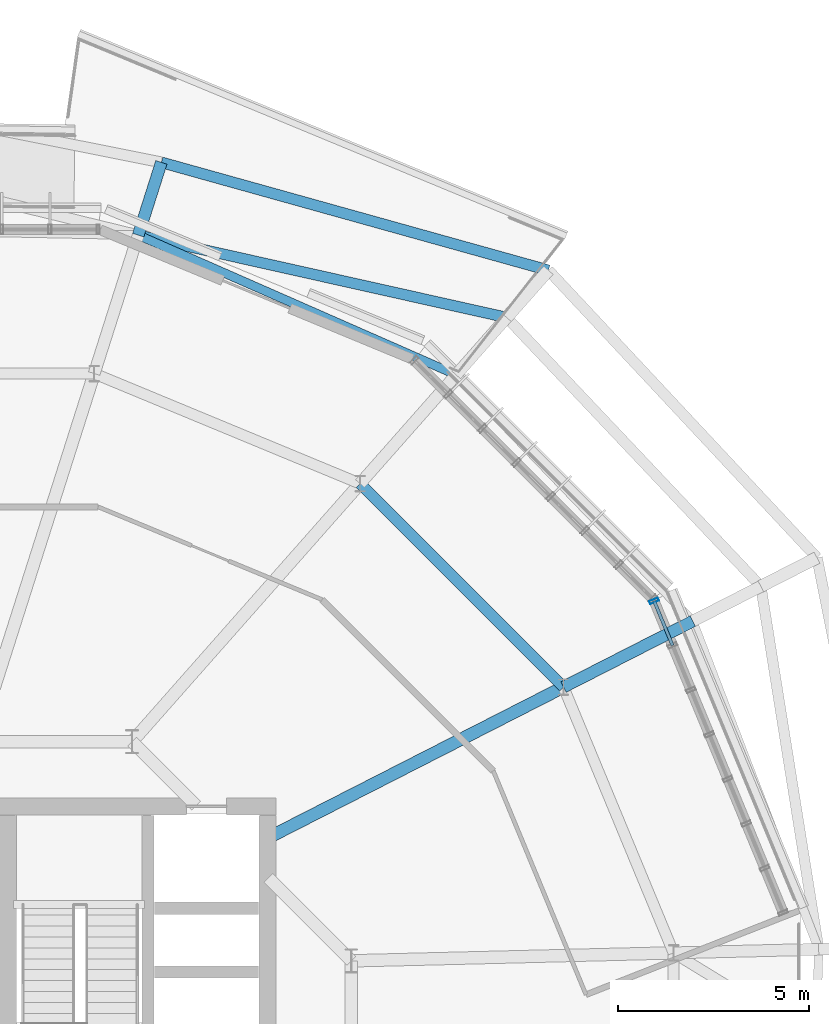
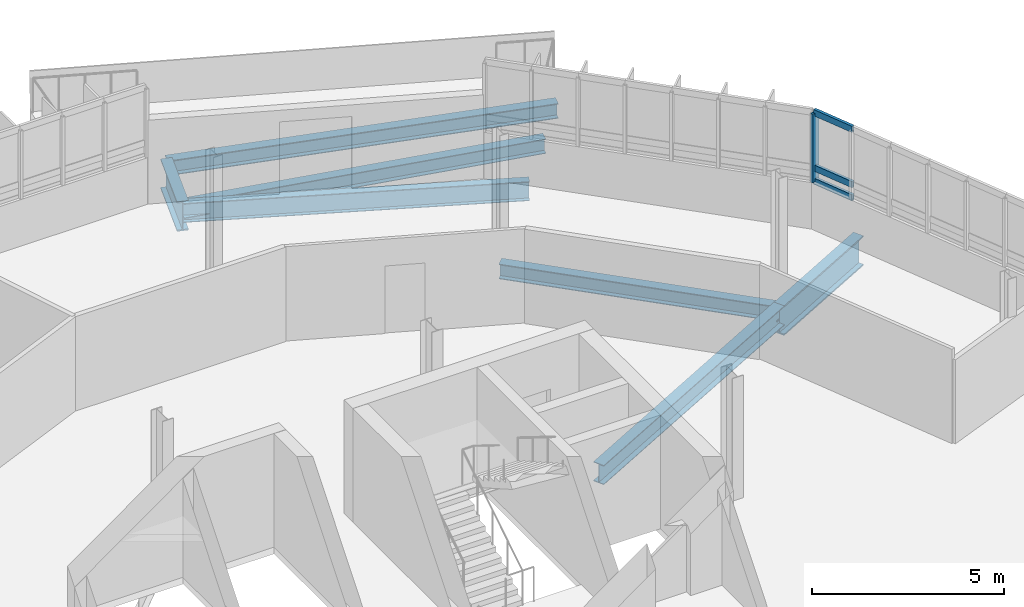
# One storey, part 28 of 61: 7 beams, 4 members, 1 element without a shape of its own.
"""IFC4 building model written with IfcOpenShell, lengths in metres."""

from ifc_helpers import new_model, si_unit, derived_unit, direction, frame, origin, origin_2d, place, context, subcontext, project, spatial, hollow_rectangle, i_section, extrude, material, layer, layer_set, material_profile, profile_set, type_object, element, aggregate, save


model = new_model("IFC4")

# Units and contexts
model_context = context("Model", 3, precision=1e-05, world=origin(), true_north=direction((0.0, 1.0)))
body_context = subcontext(model_context, "Body", "Model", "MODEL_VIEW")
ifc_project = project(units=[si_unit("LENGTHUNIT", "METRE"), si_unit("AREAUNIT", "SQUARE_METRE"), si_unit("VOLUMEUNIT", "CUBIC_METRE"), si_unit("PLANEANGLEUNIT", "RADIAN"), si_unit("MASSUNIT", "GRAM", prefix="KILO"), derived_unit("THERMALTRANSMITTANCEUNIT", [(si_unit("MASSUNIT", "GRAM", prefix="KILO"), 1), (si_unit("TIMEUNIT", "SECOND"), -3), (si_unit("THERMODYNAMICTEMPERATUREUNIT", "KELVIN"), -1)])], contexts=[model_context])

# Site, building, storey
site_placement = place(None, origin())
site = spatial("IfcSite", under=ifc_project, at=site_placement, CompositionType="ELEMENT")
building_placement = place(site_placement, origin())
building = spatial("IfcBuilding", under=site, at=building_placement, Name="Makaiwela Harbour Ferry Terminal", CompositionType="ELEMENT")
storey_placement = place(building_placement, frame((0.0, 0.0, 13.800048828125)))
storey = spatial("IfcBuildingStorey", under=building, at=storey_placement, Name="L03", CompositionType="ELEMENT", Elevation=13.800048828125)

# Curtain wall, members
ifc_material_1 = material(Name="Marine anodised aluminium 6063-T6", Category="aluminium")
ifc_layer = layer(ifc_material_1, 0.199951171875)
ifc_layer_set = layer_set([ifc_layer], Name="Marine anodised aluminium 6063-T6")
curtain_wall_type = type_object("IfcCurtainWallType", Name="ENV-CW-05", PredefinedType="USERDEFINED", material=ifc_layer_set)
curtain_wall_placement = place(storey_placement, origin())
curtain_wall = element("IfcCurtainWall", 1, at=curtain_wall_placement, inside=storey, type_object=curtain_wall_type, Name="Unitised Curtain Wall CWA-029", ObjectType="UNITIZED CURTAIN WALL", PredefinedType="USERDEFINED")
ifc_material_profile_1 = material_profile(ifc_material_1, hollow_rectangle(XDim=0.0849609375, YDim=0.25, WallThickness=0.0048828125, at=origin_2d()), Name="CWM-250X85")
ifc_profile_set_1 = profile_set([ifc_material_profile_1], Name="Marine anodised aluminium 6063-T6")
member_type_1 = type_object("IfcMemberType", Name="CW-MUL-250", PredefinedType="MULLION", material=ifc_profile_set_1)
member_1_placement = place(storey_placement, frame((55.51904296875, 81.079345703125, 1.47998046875), z_axis=(0.0, 0.0, 1.0), x_axis=(-0.382683432365, 0.923879532511, 0.0)))
member_1 = element("IfcMember", 2, at=member_1_placement, type_object=member_type_1, Name="Curtain Wall Mullion CWA-029-8", PredefinedType="MULLION", context=body_context, shape_type="SweptSolid", body=[
    extrude(hollow_rectangle(XDim=0.0849609375, YDim=0.25, WallThickness=0.0048828125, at=origin_2d()), origin(), (0.0, 0.0, 1.0), 2.179931640625),
])
ifc_material_profile_2 = material_profile(ifc_material_1, hollow_rectangle(XDim=0.0849609375, YDim=0.199951171875, WallThickness=0.0048828125, at=origin_2d()), Name="CWT-200X85")
ifc_profile_set_2 = profile_set([ifc_material_profile_2], Name="Marine anodised aluminium 6063-T6")
member_type_2 = type_object("IfcMemberType", Name="CW-TRN-200", PredefinedType="USERDEFINED", material=ifc_profile_set_2)
member_2_placement = place(storey_placement, frame((56.002197265625, 79.9130859375, 1.47998046875), z_axis=(-0.38273325349, 0.923858894352, 0.0), x_axis=(-0.923858894352, -0.38273325349, 0.0)))
member_2 = element("IfcMember", 3, at=member_2_placement, type_object=member_type_2, Name="Curtain Wall Transom CWA-029-7-1", ObjectType="TRANSOM", PredefinedType="USERDEFINED", context=body_context, shape_type="SweptSolid", body=[
    extrude(hollow_rectangle(XDim=0.0849609375, YDim=0.199951171875, WallThickness=0.0048828125, at=origin_2d()), origin(), (0.0, 0.0, 1.0), 1.262451171875),
])
member_3_placement = place(storey_placement, frame((56.002197265625, 79.9130859375, 1.89990234375), z_axis=(-0.38273325349, 0.923858894352, 0.0), x_axis=(-0.923858894352, -0.38273325349, 0.0)))
member_3 = element("IfcMember", 4, at=member_3_placement, type_object=member_type_2, Name="Curtain Wall Transom CWA-029-7-2", ObjectType="TRANSOM", PredefinedType="USERDEFINED", context=body_context, shape_type="SweptSolid", body=[
    extrude(hollow_rectangle(XDim=0.0849609375, YDim=0.199951171875, WallThickness=0.0048828125, at=origin_2d()), origin(), (0.0, 0.0, 1.0), 1.262451171875),
])
member_4_placement = place(storey_placement, frame((56.002197265625, 79.9130859375, 3.659912109375), z_axis=(-0.38273325349, 0.923858894352, 0.0), x_axis=(-0.923858894352, -0.38273325349, 0.0)))
member_4 = element("IfcMember", 5, at=member_4_placement, type_object=member_type_2, Name="Curtain Wall Transom CWA-029-7-3", ObjectType="TRANSOM", PredefinedType="USERDEFINED", context=body_context, shape_type="SweptSolid", body=[
    extrude(hollow_rectangle(XDim=0.0849609375, YDim=0.199951171875, WallThickness=0.0048828125, at=origin_2d()), origin(), (0.0, 0.0, 1.0), 1.262451171875),
])
aggregate(curtain_wall, [member_1, member_2, member_3, member_4])

# Beams
ifc_material_2 = material(Name="Steel ASTM A992 Grade 50", Category="steel")
ifc_material_profile_3 = material_profile(ifc_material_2, i_section(OverallWidth=0.280029296875, OverallDepth=0.462890625, WebThickness=0.0107421875, FlangeThickness=0.017333984375, at=origin_2d()), Name="W18X76")
ifc_profile_set_3 = profile_set([ifc_material_profile_3], Name="Steel ASTM A992 Grade 50")
beam_type_1 = type_object("IfcBeamType", Name="STR-BM-W18X76", PredefinedType="BEAM", material=ifc_profile_set_3)
beam_1_placement = place(storey_placement, frame((51.662109375, 88.494384765625, -0.486572265625), z_axis=(-0.97591485411, 0.218151776354, 0.0), x_axis=(-0.218151776354, -0.97591485411, 0.0)))
element("IfcBeam", 6, at=beam_1_placement, inside=storey, type_object=beam_type_1, Name="Drum stage2 tie girder 333", PredefinedType="BEAM", context=body_context, shape_type="SweptSolid", body=[
    extrude(i_section(OverallWidth=0.280029296875, OverallDepth=0.462890625, WebThickness=0.0107421875, FlangeThickness=0.017333984375, at=origin_2d()), origin(), (0.0, 0.0, 1.0), 9.883056640625),
])
ifc_material_profile_4 = material_profile(ifc_material_2, i_section(OverallWidth=0.324951171875, OverallDepth=0.615966796875, WebThickness=0.013916015625, FlangeThickness=0.021484375, at=origin_2d()), Name="W24X117")
ifc_profile_set_4 = profile_set([ifc_material_profile_4], Name="Steel ASTM A992 Grade 50")
beam_type_2 = type_object("IfcBeamType", Name="STR-GRD-W24X117", PredefinedType="USERDEFINED", material=ifc_profile_set_4)
beam_2_placement = place(storey_placement, frame((45.43994140625, 74.8896484375, -0.56298828125), z_axis=(0.890740656369, 0.454511917436, 0.0), x_axis=(-0.454511917436, 0.890740656369, 0.0)))
element("IfcBeam", 7, at=beam_2_placement, inside=storey, type_object=beam_type_2, Name="Drum radial girder 274", ObjectType="GIRDER", PredefinedType="USERDEFINED", context=body_context, shape_type="SweptSolid", body=[
    extrude(i_section(OverallWidth=0.324951171875, OverallDepth=0.615966796875, WebThickness=0.013916015625, FlangeThickness=0.021484375, at=origin_2d()), origin(), (0.0, 0.0, 1.0), 8.65283203125),
])
ifc_material_profile_5 = material_profile(ifc_material_2, i_section(OverallWidth=0.22900390625, OverallDepth=0.612060546875, WebThickness=0.011962890625, FlangeThickness=0.01953125, at=origin_2d()), Name="W24X84")
ifc_profile_set_5 = profile_set([ifc_material_profile_5], Name="Steel ASTM A992 Grade 50")
beam_type_3 = type_object("IfcBeamType", Name="STR-GRD-W24X84", PredefinedType="USERDEFINED", material=ifc_profile_set_5)
beam_3_placement = place(storey_placement, frame((50.338134765625, 86.995361328125, -0.56103515625), z_axis=(-0.915567564956, 0.402164187864, 0.0), x_axis=(-0.402164187864, -0.915567564956, 0.0)))
element("IfcBeam", 8, at=beam_3_placement, inside=storey, type_object=beam_type_3, Name="Drum overhang tie girder 332", ObjectType="GIRDER", PredefinedType="USERDEFINED", context=body_context, shape_type="SweptSolid", body=[
    extrude(i_section(OverallWidth=0.22900390625, OverallDepth=0.612060546875, WebThickness=0.011962890625, FlangeThickness=0.01953125, at=origin_2d()), origin(), (0.0, 0.0, 1.0), 9.08837890625),
])
ifc_material_profile_6 = material_profile(ifc_material_2, i_section(OverallWidth=0.31005859375, OverallDepth=0.949951171875, WebThickness=0.0244140625, FlangeThickness=0.0439453125, at=origin_2d()), Name="W36X256")
ifc_profile_set_6 = profile_set([ifc_material_profile_6], Name="Steel ASTM A992 Grade 50")
beam_type_4 = type_object("IfcBeamType", Name="STR-GRD-W36X256", PredefinedType="USERDEFINED", material=ifc_profile_set_6)
beam_4_placement = place(storey_placement, frame((53.1474609375, 78.822509765625, -0.72998046875), z_axis=(0.890748068291, 0.454497391452, 0.0), x_axis=(-0.454497391452, 0.890748068291, 0.0)))
element("IfcBeam", 9, at=beam_4_placement, inside=storey, type_object=beam_type_4, Name="Drum radial overhang 275", ObjectType="GIRDER", PredefinedType="USERDEFINED", context=body_context, shape_type="SweptSolid", body=[
    extrude(i_section(OverallWidth=0.31005859375, OverallDepth=0.949951171875, WebThickness=0.0244140625, FlangeThickness=0.0439453125, at=origin_2d()), origin(), (0.0, 0.0, 1.0), 3.7998046875),
])
beam_5_placement = place(storey_placement, frame((42.01708984375, 90.650390625, -0.72998046875), z_axis=(0.303087773296, 0.95296264443, 0.0), x_axis=(-0.95296264443, 0.303087773296, 0.0)))
element("IfcBeam", 10, at=beam_5_placement, inside=storey, type_object=beam_type_4, Name="Drum overhang radial girder 284", ObjectType="GIRDER", PredefinedType="USERDEFINED", context=body_context, shape_type="SweptSolid", body=[
    extrude(i_section(OverallWidth=0.31005859375, OverallDepth=0.949951171875, WebThickness=0.0244140625, FlangeThickness=0.0439453125, at=origin_2d()), origin(), (0.0, 0.0, 1.0), 2.0),
])
ifc_material_profile_7 = material_profile(ifc_material_2, i_section(OverallWidth=0.283935546875, OverallDepth=0.47607421875, WebThickness=0.014892578125, FlangeThickness=0.02392578125, at=origin_2d()), Name="W18X106")
ifc_profile_set_7 = profile_set([ifc_material_profile_7], Name="Steel ASTM A992 Grade 50")
beam_type_5 = type_object("IfcBeamType", Name="STR-SPN-W18X106", PredefinedType="SPANDREL", material=ifc_profile_set_7)
beam_6_placement = place(storey_placement, frame((53.1474609375, 78.822509765625, -0.4931640625), z_axis=(-0.707106781187, 0.707106781187, 0.0), x_axis=(-0.707106781187, -0.707106781187, 0.0)))
element("IfcBeam", 11, at=beam_6_placement, inside=storey, type_object=beam_type_5, Name="Drum column ring girder 256", PredefinedType="SPANDREL", context=body_context, shape_type="SweptSolid", body=[
    extrude(i_section(OverallWidth=0.283935546875, OverallDepth=0.47607421875, WebThickness=0.014892578125, FlangeThickness=0.02392578125, at=origin_2d()), origin(), (0.0, 0.0, 1.0), 7.530517578125),
])
beam_7_placement = place(storey_placement, frame((52.754638671875, 89.731201171875, -0.4931640625), z_axis=(-0.963249391655, 0.26860865488, 0.0), x_axis=(-0.26860865488, -0.963249391655, 0.0)))
element("IfcBeam", 12, at=beam_7_placement, inside=storey, type_object=beam_type_5, Name="Drum perimeter spandrel 357", PredefinedType="SPANDREL", context=body_context, shape_type="SweptSolid", body=[
    extrude(i_section(OverallWidth=0.283935546875, OverallDepth=0.47607421875, WebThickness=0.014892578125, FlangeThickness=0.02392578125, at=origin_2d()), origin(), (0.0, 0.0, 1.0), 10.517822265625),
])

save(model, "model.ifc")
